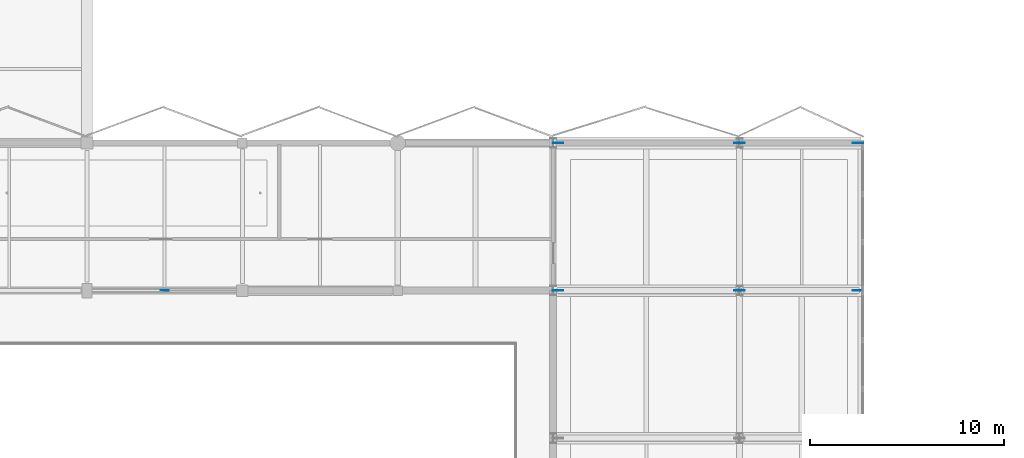
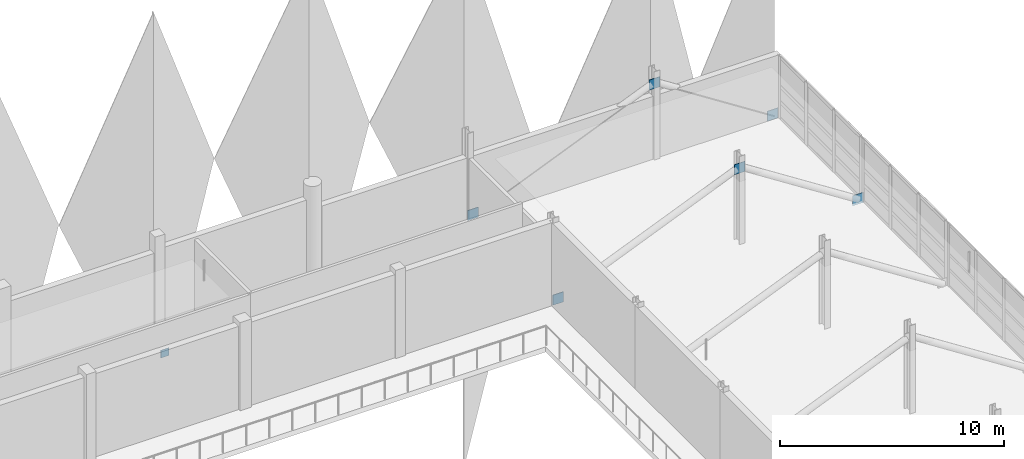
# One storey, part 66 of 107: 7 plates.
"""IFC4 building model written with IfcOpenShell, lengths in metres."""

from ifc_helpers import new_model, si_unit, direction, frame, origin, origin_2d, place, context, subcontext, project, spatial, rectangle, extrude, material, layer, layer_set, type_object, element, save


model = new_model("IFC4")

# Units and contexts
model_context = context("Model", 3, precision=1e-05, world=origin(), true_north=direction((0.0, 1.0)))
body_context = subcontext(model_context, "Body", "Model", "MODEL_VIEW")
ifc_project = project(units=[si_unit("LENGTHUNIT", "METRE"), si_unit("AREAUNIT", "SQUARE_METRE"), si_unit("VOLUMEUNIT", "CUBIC_METRE"), si_unit("PLANEANGLEUNIT", "RADIAN"), si_unit("MASSUNIT", "GRAM", prefix="KILO")], contexts=[model_context])

# Site, building, storey
site_placement = place(None, origin())
site = spatial("IfcSite", under=ifc_project, at=site_placement, CompositionType="ELEMENT")
building_placement = place(site_placement, origin())
building = spatial("IfcBuilding", under=site, at=building_placement, Name="Khelvaren Railside Concert Hall", CompositionType="ELEMENT")
storey_placement = place(building_placement, frame((0.0, 0.0, 15.0)))
storey = spatial("IfcBuildingStorey", under=building, at=storey_placement, Name="L03", CompositionType="ELEMENT", Elevation=15.0)

# Plates
ifc_material = material(Name="Steel S355", Category="steel")
ifc_layer_1 = layer(ifc_material, 0.028076171875)
ifc_layer_set_1 = layer_set([ifc_layer_1], Name="Steel S355")
plate_type_1 = type_object("IfcPlateType", Name="GP71", PredefinedType="USERDEFINED", material=ifc_layer_set_1)
for number, where, z_axis, x_axis, name in (
    (1, (55.699951171875, 38.0, -0.125), (0.0, 0.0, 1.0), (1.0, 0.0, 0.0), "Cantilever Truss End Node Assembly L03-6-TIP"),
    (2, (49.60009765625, 38.0, 3.705078125), (0.0, 0.0, 1.0), (1.0, 0.0, 0.0), "Cantilever Truss End Node Assembly L03-6-TOP"),
    (3, (40.25, 38.0, -0.125), (0.0, 0.0, 1.0), (1.0, 0.0, 0.0), "Cantilever Truss End Node Assembly L03-6-BS"),
    (4, (55.699951171875, 45.60009765625, -0.125), (0.0, 0.0, 1.0), (1.0, 0.0, 0.0), "Cantilever Truss End Node Assembly L03-7-TIP"),
    (5, (49.60009765625, 45.60009765625, 3.705078125), (0.0, 0.0, 1.0), (1.0, 0.0, 0.0), "Cantilever Truss End Node Assembly L03-7-TOP"),
    (6, (40.25, 45.60009765625, -0.125), (0.0, 0.0, 1.0), (1.0, 0.0, 0.0), "Cantilever Truss End Node Assembly L03-7-BS"),
):
    element("IfcPlate", number, at=place(storey_placement, frame(where, z_axis=z_axis, x_axis=x_axis)), inside=storey, type_object=plate_type_1, Name=name, ObjectType="GUSSET PLATE", PredefinedType="USERDEFINED", context=body_context, shape_type="SweptSolid", body=[
        extrude(rectangle(XDim=0.550048828125, YDim=0.028076171875, at=origin_2d()), origin(), (0.0, 0.0, 1.0), 0.550048828125),
    ])
ifc_layer_2 = layer(ifc_material, 0.02197265625)
ifc_layer_set_2 = layer_set([ifc_layer_2], Name="Steel S355")
plate_type_2 = type_object("IfcPlateType", Name="STP73", PredefinedType="USERDEFINED", material=ifc_layer_set_2)
plate_placement = place(storey_placement, frame((20.0, 38.0, 4.070068359375), z_axis=(0.0, 0.0, 1.0), x_axis=(1.0, 0.0, 0.0)))
element("IfcPlate", 7, at=plate_placement, inside=storey, type_object=plate_type_2, Name="V1 L03 Brace Apex Stiffener Plate 38", ObjectType="STIFFENER PLATE", PredefinedType="USERDEFINED", context=body_context, shape_type="SweptSolid", body=[
    extrude(rectangle(XDim=0.419921875, YDim=0.02197265625, at=origin_2d()), origin(), (0.0, 0.0, 1.0), 0.419921875),
])

save(model, "model.ifc")
